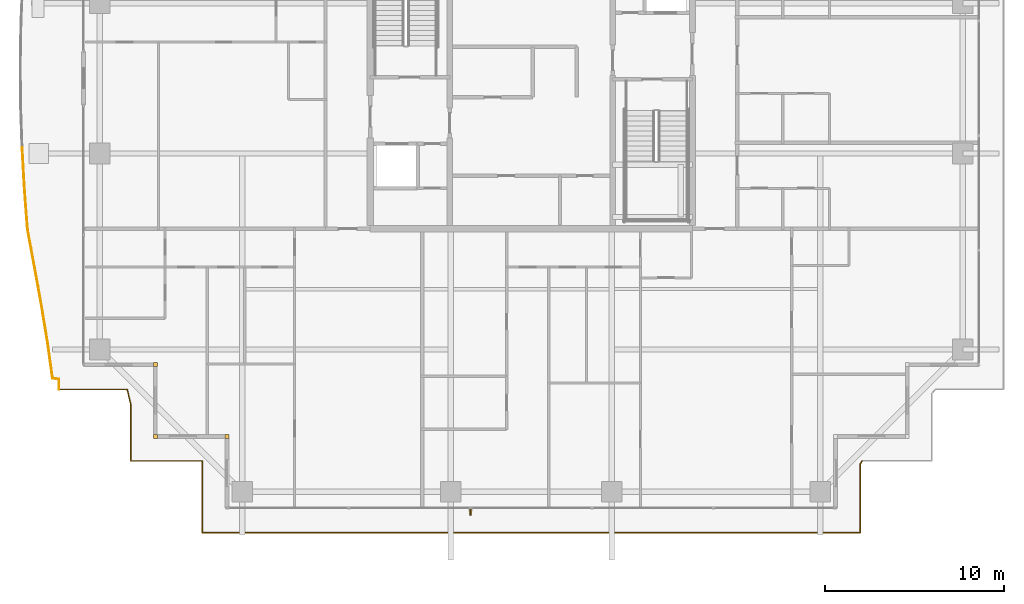
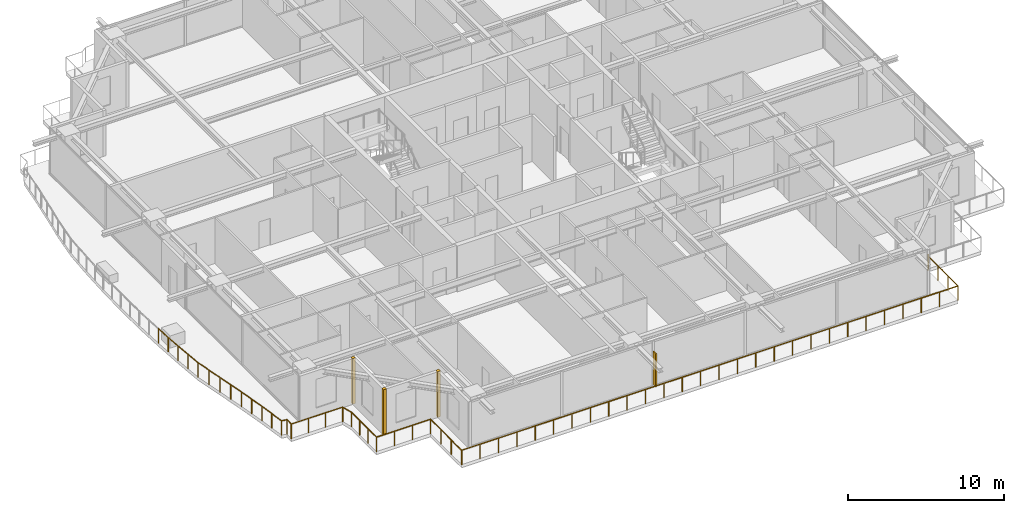
# One storey, part 35 of 40: 3 coverings, 2 railings, 1 shading device.
"""IFC4 building model written with IfcOpenShell, lengths in metres."""

from ifc_helpers import new_model, si_unit, direction, frame, origin, origin_2d, place, context, subcontext, project, spatial, rectangle, circle, extrude, source, transform, mapped, material, layer, layer_set, type_object, element, save


model = new_model("IFC4")

# Units and contexts
model_context = context("Model", 3, precision=1e-05, world=origin(), true_north=direction((0.0, 1.0)))
body_context = subcontext(model_context, "Body", "Model", "MODEL_VIEW")
ifc_project = project(units=[si_unit("LENGTHUNIT", "METRE"), si_unit("AREAUNIT", "SQUARE_METRE"), si_unit("VOLUMEUNIT", "CUBIC_METRE"), si_unit("PLANEANGLEUNIT", "RADIAN"), si_unit("MASSUNIT", "GRAM", prefix="KILO")], contexts=[model_context])

# Site, building, storey
site_placement = place(None, origin())
site = spatial("IfcSite", under=ifc_project, at=site_placement, CompositionType="ELEMENT")
building_placement = place(site_placement, origin())
building = spatial("IfcBuilding", under=site, at=building_placement, Name="Serunith Strait Residences", CompositionType="ELEMENT")
storey_placement = place(building_placement, frame((0.0, 0.0, 252.800048828125)))
storey = spatial("IfcBuildingStorey", under=building, at=storey_placement, Name="L63", CompositionType="ELEMENT", Elevation=252.800048828125)

# Railings
ifc_material_1 = material(Name="Stainless Steel & Laminated Glass Balustrade", Category="steel")
railing_type = type_object("IfcRailingType", Name="RLG-BALC-1150", PredefinedType="BALUSTRADE", material=ifc_material_1)
railing_1_placement = place(storey_placement, frame((6.02001953125, 7.820068359375, -0.050048828125)))
element("IfcRailing", 1, at=railing_1_placement, inside=storey, type_object=railing_type, Name="L63 Swirling Balcony Perimeter Balustrade 1", PredefinedType="BALUSTRADE", context=body_context, shape_type="SweptSolid", body=[
    extrude(circle(Radius=0.02392578125, at=origin_2d()), frame((0.0, 0.001953125, 1.1259765625), z_axis=(0.0, 1.0, 0.0), x_axis=(-1.0, 0.0, 0.0)), (0.0, 0.0, 1.0), 0.5625),
    extrude(circle(Radius=0.02392578125, at=origin_2d()), frame((-0.001953125, 0.566650390625, 1.1259765625), z_axis=(-0.986061556291, 0.16638090998, 0.0), x_axis=(-0.16638090998, -0.986061556291, 0.0)), (0.0, 0.0, 1.0), 0.35546875),
    extrude(circle(Radius=0.02392578125, at=origin_2d()), frame((-0.354736328125, 0.628173828125, 1.1259765625), z_axis=(-0.137867119791, 0.990450734404, 0.0), x_axis=(-0.990450734404, -0.137867119791, 0.0)), (0.0, 0.0, 1.0), 2.044921875),
    extrude(circle(Radius=0.02392578125, at=origin_2d()), frame((-0.63720703125, 2.657470703125, 1.1259765625), z_axis=(-0.161883802556, 0.986809826902, 0.0), x_axis=(-0.986809826902, -0.161883802556, 0.0)), (0.0, 0.0, 1.0), 2.07421875),
    extrude(circle(Radius=0.02392578125, at=origin_2d()), frame((-0.9736328125, 4.708251953125, 1.1259765625), z_axis=(-0.178925914862, 0.983862549847, 0.0), x_axis=(-0.983862549847, -0.178925914862, 0.0)), (0.0, 0.0, 1.0), 2.119140625),
    extrude(circle(Radius=0.02392578125, at=origin_2d()), frame((-1.353515625, 6.797119140625, 1.1259765625), z_axis=(-0.183058821971, 0.983101962005, 0.0), x_axis=(-0.983101962005, -0.183058821971, 0.0)), (0.0, 0.0, 1.0), 2.177978515625),
    extrude(circle(Radius=0.02392578125, at=origin_2d()), frame((-1.7529296875, 8.942138671875, 1.1259765625), z_axis=(-0.075617382389, 0.99713690709, 0.0), x_axis=(-0.99713690709, -0.075617382389, 0.0)), (0.0, 0.0, 1.0), 2.262451171875),
    extrude(circle(Radius=0.02392578125, at=origin_2d()), frame((-1.924072265625, 11.2021484375, 1.1259765625), z_axis=(-0.05589375435, 0.998436722194, 0.0), x_axis=(-0.998436722194, -0.05589375435, 0.0)), (0.0, 0.0, 1.0), 2.29345703125),
    extrude(circle(Radius=0.02099609375, at=origin_2d()), origin(), (0.0, 0.0, 1.0), 1.099853515625),
    extrude(circle(Radius=0.02099609375, at=origin_2d()), frame((0.0, 0.56640625, 0.0)), (0.0, 0.0, 1.0), 1.099853515625),
    extrude(circle(Radius=0.02099609375, at=origin_2d()), frame((-0.3544921875, 0.626220703125, 0.0)), (0.0, 0.0, 1.0), 1.099853515625),
    extrude(circle(Radius=0.02099609375, at=origin_2d()), frame((-0.49560546875, 1.640869140625, 0.0)), (0.0, 0.0, 1.0), 1.099853515625),
    extrude(circle(Radius=0.02099609375, at=origin_2d()), frame((-0.636962890625, 2.655517578125, 0.0)), (0.0, 0.0, 1.0), 1.099853515625),
    extrude(circle(Radius=0.02099609375, at=origin_2d()), frame((-0.80517578125, 3.680908203125, 0.0)), (0.0, 0.0, 1.0), 1.099853515625),
    extrude(circle(Radius=0.02099609375, at=origin_2d()), frame((-0.973388671875, 4.706298828125, 0.0)), (0.0, 0.0, 1.0), 1.099853515625),
    extrude(circle(Radius=0.02099609375, at=origin_2d()), frame((-1.163330078125, 5.750732421875, 0.0)), (0.0, 0.0, 1.0), 1.099853515625),
    extrude(circle(Radius=0.02099609375, at=origin_2d()), frame((-1.353271484375, 6.795166015625, 0.0)), (0.0, 0.0, 1.0), 1.099853515625),
    extrude(circle(Radius=0.02099609375, at=origin_2d()), frame((-1.552978515625, 7.86767578125, 0.0)), (0.0, 0.0, 1.0), 1.099853515625),
    extrude(circle(Radius=0.02099609375, at=origin_2d()), frame((-1.752685546875, 8.940185546875, 0.0)), (0.0, 0.0, 1.0), 1.099853515625),
    extrude(circle(Radius=0.02099609375, at=origin_2d()), frame((-1.83837890625, 10.0703125, 0.0)), (0.0, 0.0, 1.0), 1.099853515625),
    extrude(circle(Radius=0.02099609375, at=origin_2d()), frame((-1.924072265625, 11.2001953125, 0.0)), (0.0, 0.0, 1.0), 1.099853515625),
    extrude(circle(Radius=0.02099609375, at=origin_2d()), frame((-1.98828125, 12.34716796875, 0.0)), (0.0, 0.0, 1.0), 1.099853515625),
    extrude(circle(Radius=0.02099609375, at=origin_2d()), frame((-2.052490234375, 13.494140625, 0.0)), (0.0, 0.0, 1.0), 1.099853515625),
])
railing_2_placement = place(storey_placement, frame((50.881103515625, 3.820068359375, -0.050048828125)))
element("IfcRailing", 2, at=railing_2_placement, inside=storey, type_object=railing_type, Name="L63 Swirling Balcony Perimeter Balustrade 8", PredefinedType="BALUSTRADE", context=body_context, shape_type="SweptSolid", body=[
    extrude(circle(Radius=0.02392578125, at=origin_2d()), frame((-0.0009765625, -0.001708984375, 1.1259765625), z_axis=(-0.546751112301, -0.83729518164, 0.0), x_axis=(0.83729518164, -0.546751112301, 0.0)), (0.0, 0.0, 1.0), 0.180908203125),
    extrude(circle(Radius=0.02392578125, at=origin_2d()), frame((-0.10107421875, -0.15673828125, 1.1259765625), z_axis=(0.0, -1.0, 0.0), x_axis=(1.0, 0.0, 0.0)), (0.0, 0.0, 1.0), 3.84130859375),
    extrude(circle(Radius=0.02392578125, at=origin_2d()), frame((-0.10302734375, -4.0, 1.1259765625), z_axis=(-1.0, 0.0, 0.0), x_axis=(0.0, -1.0, 0.0)), (0.0, 0.0, 1.0), 36.756103515625),
    extrude(circle(Radius=0.02392578125, at=origin_2d()), frame((-36.861083984375, -3.998046875, 1.1259765625), z_axis=(0.0, 1.0, 0.0), x_axis=(-1.0, 0.0, 0.0)), (0.0, 0.0, 1.0), 3.99609375),
    extrude(circle(Radius=0.02392578125, at=origin_2d()), frame((-36.863037109375, 0.0, 1.1259765625), z_axis=(-1.0, 0.0, 0.0), x_axis=(0.0, -1.0, 0.0)), (0.0, 0.0, 1.0), 3.99609375),
    extrude(circle(Radius=0.02392578125, at=origin_2d()), frame((-40.861083984375, 0.001953125, 1.1259765625), z_axis=(0.0, 1.0, 0.0), x_axis=(-1.0, 0.0, 0.0)), (0.0, 0.0, 1.0), 3.205078125),
    extrude(circle(Radius=0.02392578125, at=origin_2d()), frame((-40.861572265625, 3.2109375, 1.1259765625), z_axis=(-0.236037787458, 0.971743877208, 0.0), x_axis=(-0.971743877208, -0.236037787458, 0.0)), (0.0, 0.0, 1.0), 0.81005859375),
    extrude(circle(Radius=0.02392578125, at=origin_2d()), frame((-41.05517578125, 4.0, 1.1259765625), z_axis=(-1.0, 0.0, 0.0), x_axis=(0.0, -1.0, 0.0)), (0.0, 0.0, 1.0), 3.803955078125),
    extrude(circle(Radius=0.02099609375, at=origin_2d()), origin(), (0.0, 0.0, 1.0), 1.099853515625),
    extrude(circle(Radius=0.02099609375, at=origin_2d()), frame((-0.10107421875, -0.15478515625, 0.0)), (0.0, 0.0, 1.0), 1.099853515625),
    extrude(circle(Radius=0.02099609375, at=origin_2d()), frame((-0.10107421875, -1.4365234375, 0.0)), (0.0, 0.0, 1.0), 1.099853515625),
    extrude(circle(Radius=0.02099609375, at=origin_2d()), frame((-0.10107421875, -2.71826171875, 0.0)), (0.0, 0.0, 1.0), 1.099853515625),
    extrude(circle(Radius=0.02099609375, at=origin_2d()), frame((-0.10107421875, -4.0, 0.0)), (0.0, 0.0, 1.0), 1.099853515625),
    extrude(circle(Radius=0.02099609375, at=origin_2d()), frame((-1.462646484375, -4.0, 0.0)), (0.0, 0.0, 1.0), 1.099853515625),
    extrude(circle(Radius=0.02099609375, at=origin_2d()), frame((-2.823974609375, -4.0, 0.0)), (0.0, 0.0, 1.0), 1.099853515625),
    extrude(circle(Radius=0.02099609375, at=origin_2d()), frame((-4.185546875, -4.0, 0.0)), (0.0, 0.0, 1.0), 1.099853515625),
    extrude(circle(Radius=0.02099609375, at=origin_2d()), frame((-5.547119140625, -4.0, 0.0)), (0.0, 0.0, 1.0), 1.099853515625),
    extrude(circle(Radius=0.02099609375, at=origin_2d()), frame((-6.908447265625, -4.0, 0.0)), (0.0, 0.0, 1.0), 1.099853515625),
    extrude(circle(Radius=0.02099609375, at=origin_2d()), frame((-8.27001953125, -4.0, 0.0)), (0.0, 0.0, 1.0), 1.099853515625),
    extrude(circle(Radius=0.02099609375, at=origin_2d()), frame((-9.63134765625, -4.0, 0.0)), (0.0, 0.0, 1.0), 1.099853515625),
    extrude(circle(Radius=0.02099609375, at=origin_2d()), frame((-10.992919921875, -4.0, 0.0)), (0.0, 0.0, 1.0), 1.099853515625),
    extrude(circle(Radius=0.02099609375, at=origin_2d()), frame((-12.3544921875, -4.0, 0.0)), (0.0, 0.0, 1.0), 1.099853515625),
    extrude(circle(Radius=0.02099609375, at=origin_2d()), frame((-13.7158203125, -4.0, 0.0)), (0.0, 0.0, 1.0), 1.099853515625),
    extrude(circle(Radius=0.02099609375, at=origin_2d()), frame((-15.077392578125, -4.0, 0.0)), (0.0, 0.0, 1.0), 1.099853515625),
    extrude(circle(Radius=0.02099609375, at=origin_2d()), frame((-16.43896484375, -4.0, 0.0)), (0.0, 0.0, 1.0), 1.099853515625),
    extrude(circle(Radius=0.02099609375, at=origin_2d()), frame((-17.80029296875, -4.0, 0.0)), (0.0, 0.0, 1.0), 1.099853515625),
    extrude(circle(Radius=0.02099609375, at=origin_2d()), frame((-19.161865234375, -4.0, 0.0)), (0.0, 0.0, 1.0), 1.099853515625),
    extrude(circle(Radius=0.02099609375, at=origin_2d()), frame((-20.523193359375, -4.0, 0.0)), (0.0, 0.0, 1.0), 1.099853515625),
    extrude(circle(Radius=0.02099609375, at=origin_2d()), frame((-21.884765625, -4.0, 0.0)), (0.0, 0.0, 1.0), 1.099853515625),
    extrude(circle(Radius=0.02099609375, at=origin_2d()), frame((-23.246337890625, -4.0, 0.0)), (0.0, 0.0, 1.0), 1.099853515625),
    extrude(circle(Radius=0.02099609375, at=origin_2d()), frame((-24.607666015625, -4.0, 0.0)), (0.0, 0.0, 1.0), 1.099853515625),
    extrude(circle(Radius=0.02099609375, at=origin_2d()), frame((-25.96923828125, -4.0, 0.0)), (0.0, 0.0, 1.0), 1.099853515625),
    extrude(circle(Radius=0.02099609375, at=origin_2d()), frame((-27.330810546875, -4.0, 0.0)), (0.0, 0.0, 1.0), 1.099853515625),
    extrude(circle(Radius=0.02099609375, at=origin_2d()), frame((-28.692138671875, -4.0, 0.0)), (0.0, 0.0, 1.0), 1.099853515625),
    extrude(circle(Radius=0.02099609375, at=origin_2d()), frame((-30.0537109375, -4.0, 0.0)), (0.0, 0.0, 1.0), 1.099853515625),
    extrude(circle(Radius=0.02099609375, at=origin_2d()), frame((-31.4150390625, -4.0, 0.0)), (0.0, 0.0, 1.0), 1.099853515625),
    extrude(circle(Radius=0.02099609375, at=origin_2d()), frame((-32.776611328125, -4.0, 0.0)), (0.0, 0.0, 1.0), 1.099853515625),
    extrude(circle(Radius=0.02099609375, at=origin_2d()), frame((-34.13818359375, -4.0, 0.0)), (0.0, 0.0, 1.0), 1.099853515625),
    extrude(circle(Radius=0.02099609375, at=origin_2d()), frame((-35.49951171875, -4.0, 0.0)), (0.0, 0.0, 1.0), 1.099853515625),
    extrude(circle(Radius=0.02099609375, at=origin_2d()), frame((-36.861083984375, -4.0, 0.0)), (0.0, 0.0, 1.0), 1.099853515625),
    extrude(circle(Radius=0.02099609375, at=origin_2d()), frame((-36.861083984375, -2.666748046875, 0.0)), (0.0, 0.0, 1.0), 1.099853515625),
    extrude(circle(Radius=0.02099609375, at=origin_2d()), frame((-36.861083984375, -1.333251953125, 0.0)), (0.0, 0.0, 1.0), 1.099853515625),
    extrude(circle(Radius=0.02099609375, at=origin_2d()), frame((-36.861083984375, 0.0, 0.0)), (0.0, 0.0, 1.0), 1.099853515625),
    extrude(circle(Radius=0.02099609375, at=origin_2d()), frame((-38.1943359375, 0.0, 0.0)), (0.0, 0.0, 1.0), 1.099853515625),
    extrude(circle(Radius=0.02099609375, at=origin_2d()), frame((-39.52783203125, 0.0, 0.0)), (0.0, 0.0, 1.0), 1.099853515625),
    extrude(circle(Radius=0.02099609375, at=origin_2d()), frame((-40.861083984375, 0.0, 0.0)), (0.0, 0.0, 1.0), 1.099853515625),
    extrude(circle(Radius=0.02099609375, at=origin_2d()), frame((-40.861083984375, 1.069580078125, 0.0)), (0.0, 0.0, 1.0), 1.099853515625),
    extrude(circle(Radius=0.02099609375, at=origin_2d()), frame((-40.861083984375, 2.139404296875, 0.0)), (0.0, 0.0, 1.0), 1.099853515625),
    extrude(circle(Radius=0.02099609375, at=origin_2d()), frame((-40.861083984375, 3.208984375, 0.0)), (0.0, 0.0, 1.0), 1.099853515625),
    extrude(circle(Radius=0.02099609375, at=origin_2d()), frame((-41.05322265625, 4.0, 0.0)), (0.0, 0.0, 1.0), 1.099853515625),
    extrude(circle(Radius=0.02099609375, at=origin_2d()), frame((-42.322509765625, 4.0, 0.0)), (0.0, 0.0, 1.0), 1.099853515625),
    extrude(circle(Radius=0.02099609375, at=origin_2d()), frame((-43.591796875, 4.0, 0.0)), (0.0, 0.0, 1.0), 1.099853515625),
    extrude(circle(Radius=0.02099609375, at=origin_2d()), frame((-44.861083984375, 4.0, 0.0)), (0.0, 0.0, 1.0), 1.099853515625),
])

# Shading device
ifc_material_2 = material(Name="Pale-Champagne Perforated Aluminium Fin", Category="aluminium")
shading_device_type = type_object("IfcShadingDeviceType", Name="SHD-DIAG-FIN", PredefinedType="AWNING", material=ifc_material_2)
shared_shape_1 = source(origin(), body_context, "Body", "SweptSolid", [
    extrude(rectangle(XDim=0.080078125, YDim=0.35009765625, at=origin_2d()), origin(), (0.0, 0.0, 1.0), 2.60009765625),
])
shading_device_placement = place(storey_placement, frame((29.0, 0.97998046875, 0.199951171875), z_axis=(0.0, 0.0, 1.0), x_axis=(1.0, 0.0, 0.0)))
element("IfcShadingDevice", 3, at=shading_device_placement, inside=storey, type_object=shading_device_type, Name="L63 Diagonal Rhythm Solar Fin S", PredefinedType="AWNING", context=body_context, shape_type="MappedRepresentation", body=[
    mapped(shared_shape_1, transform((0.0, 0.0, 0.0), scale=1.0)),
])

# Coverings
ifc_material_3 = material(Name="Pale-Champagne Anodised Aluminium", Category="aluminium")
ifc_layer = layer(ifc_material_3, 0.219970703125, Name="Pale-Champagne Anodised Aluminium")
ifc_layer_set = layer_set([ifc_layer], Name="Pale-Champagne Anodised Aluminium")
covering_type = type_object("IfcCoveringType", Name="COV-CORN-TRIM", PredefinedType="CLADDING", material=ifc_layer_set)
shared_shape_2 = source(origin(), body_context, "Body", "SweptSolid", [
    extrude(rectangle(XDim=0.221923828125, YDim=0.221923828125, at=origin_2d()), origin(), (0.0, 0.0, 1.0), 3.574951171875),
])
for number, where, z_axis, x_axis, name in (
    (4, (11.39990234375, 9.199951171875, 0.0), (0.0, 0.0, 1.0), (1.0, 0.0, 0.0), "L63 Girih Serrated Corner Trim Post 17"),
    (5, (11.39990234375, 5.199951171875, 0.0), (0.0, 0.0, 1.0), (1.0, 0.0, 0.0), "L63 Girih Serrated Corner Trim Post 18"),
    (6, (15.39990234375, 5.199951171875, 0.0), (0.0, 0.0, 1.0), (1.0, 0.0, 0.0), "L63 Girih Serrated Corner Trim Post 19"),
):
    element("IfcCovering", number, at=place(storey_placement, frame(where, z_axis=z_axis, x_axis=x_axis)), inside=storey, type_object=covering_type, Name=name, PredefinedType="CLADDING", context=body_context, shape_type="MappedRepresentation", body=[
        mapped(shared_shape_2, transform((0.0, 0.0, 0.0), scale=1.0)),
    ])

save(model, "model.ifc")
